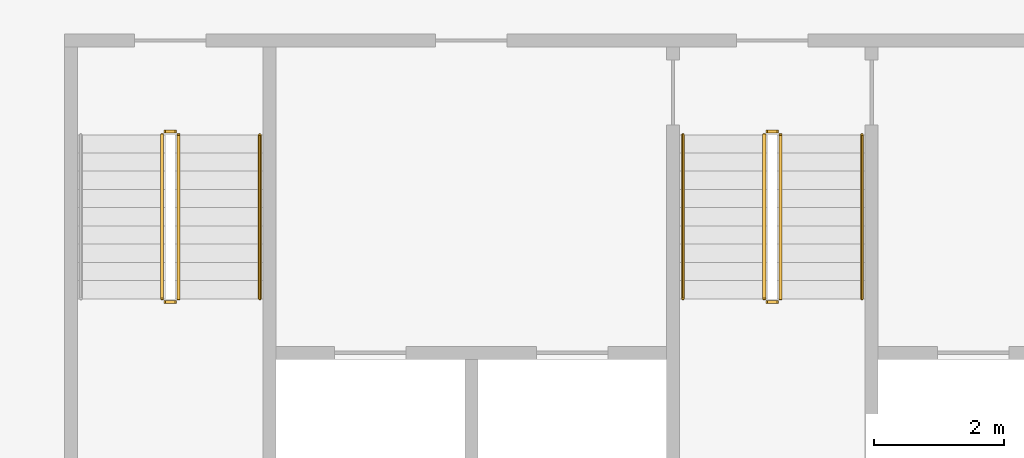
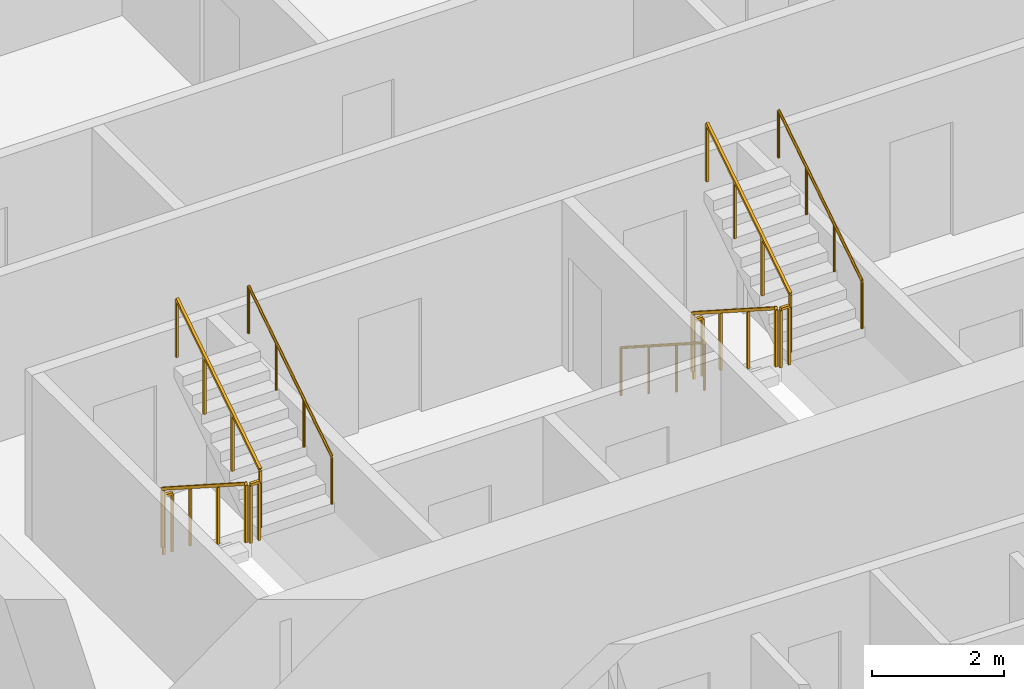
# One storey, part 14 of 16: 11 railings.
"""IFC4 building model written with IfcOpenShell, lengths in metres."""

from ifc_helpers import new_model, si_unit, direction, frame, origin, origin_2d, place, context, subcontext, project, spatial, rectangle, circle, extrude, material, type_object, element, save


model = new_model("IFC4")

# Units and contexts
model_context = context("Model", 3, precision=1e-05, world=origin(), true_north=direction((0.0, 1.0)))
body_context = subcontext(model_context, "Body", "Model", "MODEL_VIEW")
ifc_project = project(units=[si_unit("LENGTHUNIT", "METRE"), si_unit("AREAUNIT", "SQUARE_METRE"), si_unit("VOLUMEUNIT", "CUBIC_METRE"), si_unit("PLANEANGLEUNIT", "RADIAN"), si_unit("MASSUNIT", "GRAM", prefix="KILO")], contexts=[model_context])

# Site, building, storey
site_placement = place(None, origin())
site = spatial("IfcSite", under=ifc_project, at=site_placement, CompositionType="ELEMENT")
building_placement = place(site_placement, origin())
building = spatial("IfcBuilding", under=site, at=building_placement, Name="Mangrove Gate Tower", CompositionType="ELEMENT")
storey_placement = place(building_placement, frame((0.0, 0.0, 197.89990234375)))
storey = spatial("IfcBuildingStorey", under=building, at=storey_placement, Name="L50", CompositionType="ELEMENT", Elevation=197.89990234375)

# Railings
ifc_material_1 = material(Name="Stainless steel 316", Category="steel")
railing_type_1 = type_object("IfcRailingType", Name="Core stair guard 1100", PredefinedType="GUARDRAIL", material=ifc_material_1)
railing_1_placement = place(storey_placement, frame((-9.39990234375, -4.64990234375, 0.18017578125)))
element("IfcRailing", 1, at=railing_1_placement, inside=storey, type_object=railing_type_1, Name="L50 ST1 stair guard 1", PredefinedType="GUARDRAIL", context=body_context, shape_type="SweptSolid", body=[
    extrude(rectangle(XDim=0.048095703125, YDim=0.048095703125, at=origin_2d()), frame((0.0, 0.0, 1.076171875), z_axis=(0.0, -0.841199657755, 0.540724639528), x_axis=(1.0, 0.0, 0.0)), (0.0, 0.0, 1.0), 2.995849609375),
    extrude(rectangle(XDim=0.0419921875, YDim=0.0419921875, at=origin_2d()), origin(), (0.0, 0.0, 1.0), 1.052001953125),
    extrude(rectangle(XDim=0.0419921875, YDim=0.0419921875, at=origin_2d()), frame((0.0, -0.840087890625, 0.5400390625)), (0.0, 0.0, 1.0), 1.052001953125),
    extrude(rectangle(XDim=0.0419921875, YDim=0.0419921875, at=origin_2d()), frame((0.0, -1.679931640625, 1.079833984375)), (0.0, 0.0, 1.0), 1.052001953125),
    extrude(rectangle(XDim=0.0419921875, YDim=0.0419921875, at=origin_2d()), frame((0.0, -2.52001953125, 1.619873046875)), (0.0, 0.0, 1.0), 1.052001953125),
])
railing_2_placement = place(storey_placement, frame((-9.35009765625, -7.219970703125, 1.800048828125)))
element("IfcRailing", 2, at=railing_2_placement, inside=storey, type_object=railing_type_1, Name="L50 ST1 stair guard 2", PredefinedType="GUARDRAIL", context=body_context, shape_type="SweptSolid", body=[
    extrude(rectangle(XDim=0.048095703125, YDim=0.048095703125, at=origin_2d()), frame((0.0, 0.0, 1.076171875), z_axis=(1.0, 0.0, 0.0), x_axis=(0.0, 1.0, 0.0)), (0.0, 0.0, 1.0), 0.150146484375),
    extrude(rectangle(XDim=0.0419921875, YDim=0.0419921875, at=origin_2d()), origin(), (0.0, 0.0, 1.0), 1.052001953125),
    extrude(rectangle(XDim=0.0419921875, YDim=0.0419921875, at=origin_2d()), frame((0.150146484375, 0.0, 0.0)), (0.0, 0.0, 1.0), 1.052001953125),
])
railing_3_placement = place(storey_placement, frame((-9.14990234375, -7.169921875, 1.97998046875)))
element("IfcRailing", 3, at=railing_3_placement, inside=storey, type_object=railing_type_1, Name="L50 ST1 stair guard 3", PredefinedType="GUARDRAIL", context=body_context, shape_type="SweptSolid", body=[
    extrude(rectangle(XDim=0.048095703125, YDim=0.048095703125, at=origin_2d()), frame((0.0, 0.0, 1.076171875), z_axis=(0.0, 0.841162588446, 0.540782303519), x_axis=(-1.0, 0.0, 0.0)), (0.0, 0.0, 1.0), 2.995849609375),
    extrude(rectangle(XDim=0.0419921875, YDim=0.0419921875, at=origin_2d()), origin(), (0.0, 0.0, 1.0), 1.052001953125),
    extrude(rectangle(XDim=0.0419921875, YDim=0.0419921875, at=origin_2d()), frame((0.0, 0.840087890625, 0.5400390625)), (0.0, 0.0, 1.0), 1.052001953125),
    extrude(rectangle(XDim=0.0419921875, YDim=0.0419921875, at=origin_2d()), frame((0.0, 1.679931640625, 1.080078125)), (0.0, 0.0, 1.0), 1.052001953125),
    extrude(rectangle(XDim=0.0419921875, YDim=0.0419921875, at=origin_2d()), frame((0.0, 2.52001953125, 1.6201171875)), (0.0, 0.0, 1.0), 1.052001953125),
])
railing_4_placement = place(storey_placement, frame((-9.35009765625, -4.60009765625, 0.0)))
element("IfcRailing", 4, at=railing_4_placement, inside=storey, type_object=railing_type_1, Name="L50 ST1 stair guard 4", PredefinedType="GUARDRAIL", context=body_context, shape_type="SweptSolid", body=[
    extrude(rectangle(XDim=0.048095703125, YDim=0.048095703125, at=origin_2d()), frame((0.0, 0.0, 1.076171875), z_axis=(1.0, 0.0, 0.0), x_axis=(0.0, 1.0, 0.0)), (0.0, 0.0, 1.0), 0.150146484375),
    extrude(rectangle(XDim=0.0419921875, YDim=0.0419921875, at=origin_2d()), origin(), (0.0, 0.0, 1.0), 1.052001953125),
    extrude(rectangle(XDim=0.0419921875, YDim=0.0419921875, at=origin_2d()), frame((0.150146484375, 0.0, 0.0)), (0.0, 0.0, 1.0), 1.052001953125),
])
railing_5_placement = place(storey_placement, frame((-0.14990234375, -4.64990234375, 0.18017578125)))
element("IfcRailing", 5, at=railing_5_placement, inside=storey, type_object=railing_type_1, Name="L50 ST2 stair guard 1", PredefinedType="GUARDRAIL", context=body_context, shape_type="SweptSolid", body=[
    extrude(rectangle(XDim=0.048095703125, YDim=0.048095703125, at=origin_2d()), frame((0.0, 0.0, 1.076171875), z_axis=(0.0, -0.841199657755, 0.540724639528), x_axis=(1.0, 0.0, 0.0)), (0.0, 0.0, 1.0), 2.995849609375),
    extrude(rectangle(XDim=0.0419921875, YDim=0.0419921875, at=origin_2d()), origin(), (0.0, 0.0, 1.0), 1.052001953125),
    extrude(rectangle(XDim=0.0419921875, YDim=0.0419921875, at=origin_2d()), frame((0.0, -0.840087890625, 0.5400390625)), (0.0, 0.0, 1.0), 1.052001953125),
    extrude(rectangle(XDim=0.0419921875, YDim=0.0419921875, at=origin_2d()), frame((0.0, -1.679931640625, 1.079833984375)), (0.0, 0.0, 1.0), 1.052001953125),
    extrude(rectangle(XDim=0.0419921875, YDim=0.0419921875, at=origin_2d()), frame((0.0, -2.52001953125, 1.619873046875)), (0.0, 0.0, 1.0), 1.052001953125),
])
railing_6_placement = place(storey_placement, frame((-0.10009765625, -7.219970703125, 1.800048828125)))
element("IfcRailing", 6, at=railing_6_placement, inside=storey, type_object=railing_type_1, Name="L50 ST2 stair guard 2", PredefinedType="GUARDRAIL", context=body_context, shape_type="SweptSolid", body=[
    extrude(rectangle(XDim=0.048095703125, YDim=0.048095703125, at=origin_2d()), frame((0.0, 0.0, 1.076171875), z_axis=(1.0, 0.0, 0.0), x_axis=(0.0, 1.0, 0.0)), (0.0, 0.0, 1.0), 0.150146484375),
    extrude(rectangle(XDim=0.0419921875, YDim=0.0419921875, at=origin_2d()), origin(), (0.0, 0.0, 1.0), 1.052001953125),
    extrude(rectangle(XDim=0.0419921875, YDim=0.0419921875, at=origin_2d()), frame((0.150146484375, 0.0, 0.0)), (0.0, 0.0, 1.0), 1.052001953125),
])
railing_7_placement = place(storey_placement, frame((0.10009765625, -7.169921875, 1.97998046875)))
element("IfcRailing", 7, at=railing_7_placement, inside=storey, type_object=railing_type_1, Name="L50 ST2 stair guard 3", PredefinedType="GUARDRAIL", context=body_context, shape_type="SweptSolid", body=[
    extrude(rectangle(XDim=0.048095703125, YDim=0.048095703125, at=origin_2d()), frame((0.0, 0.0, 1.076171875), z_axis=(0.0, 0.841162588446, 0.540782303519), x_axis=(-1.0, 0.0, 0.0)), (0.0, 0.0, 1.0), 2.995849609375),
    extrude(rectangle(XDim=0.0419921875, YDim=0.0419921875, at=origin_2d()), origin(), (0.0, 0.0, 1.0), 1.052001953125),
    extrude(rectangle(XDim=0.0419921875, YDim=0.0419921875, at=origin_2d()), frame((0.0, 0.840087890625, 0.5400390625)), (0.0, 0.0, 1.0), 1.052001953125),
    extrude(rectangle(XDim=0.0419921875, YDim=0.0419921875, at=origin_2d()), frame((0.0, 1.679931640625, 1.080078125)), (0.0, 0.0, 1.0), 1.052001953125),
    extrude(rectangle(XDim=0.0419921875, YDim=0.0419921875, at=origin_2d()), frame((0.0, 2.52001953125, 1.6201171875)), (0.0, 0.0, 1.0), 1.052001953125),
])
railing_8_placement = place(storey_placement, frame((-0.10009765625, -4.60009765625, 0.0)))
element("IfcRailing", 8, at=railing_8_placement, inside=storey, type_object=railing_type_1, Name="L50 ST2 stair guard 4", PredefinedType="GUARDRAIL", context=body_context, shape_type="SweptSolid", body=[
    extrude(rectangle(XDim=0.048095703125, YDim=0.048095703125, at=origin_2d()), frame((0.0, 0.0, 1.076171875), z_axis=(1.0, 0.0, 0.0), x_axis=(0.0, 1.0, 0.0)), (0.0, 0.0, 1.0), 0.150146484375),
    extrude(rectangle(XDim=0.0419921875, YDim=0.0419921875, at=origin_2d()), origin(), (0.0, 0.0, 1.0), 1.052001953125),
    extrude(rectangle(XDim=0.0419921875, YDim=0.0419921875, at=origin_2d()), frame((0.150146484375, 0.0, 0.0)), (0.0, 0.0, 1.0), 1.052001953125),
])
ifc_material_2 = material(Name="Stainless steel 316", Category="steel")
railing_type_2 = type_object("IfcRailingType", Name="Core stair handrail 900", PredefinedType="HANDRAIL", material=ifc_material_2)
railing_9_placement = place(storey_placement, frame((-7.89990234375, -7.169921875, 1.97998046875)))
element("IfcRailing", 9, at=railing_9_placement, inside=storey, type_object=railing_type_2, Name="L50 ST1 stair handrail 2", PredefinedType="HANDRAIL", context=body_context, shape_type="SweptSolid", body=[
    extrude(circle(Radius=0.02392578125, at=origin_2d()), frame((0.0, 0.0, 0.8759765625), z_axis=(0.0, 0.841162588446, 0.540782303519), x_axis=(-1.0, 0.0, 0.0)), (0.0, 0.0, 1.0), 2.995849609375),
    extrude(circle(Radius=0.02099609375, at=origin_2d()), origin(), (0.0, 0.0, 1.0), 0.851806640625),
    extrude(circle(Radius=0.02099609375, at=origin_2d()), frame((0.0, 0.840087890625, 0.5400390625)), (0.0, 0.0, 1.0), 0.851806640625),
    extrude(circle(Radius=0.02099609375, at=origin_2d()), frame((0.0, 1.679931640625, 1.080078125)), (0.0, 0.0, 1.0), 0.851806640625),
    extrude(circle(Radius=0.02099609375, at=origin_2d()), frame((0.0, 2.52001953125, 1.6201171875)), (0.0, 0.0, 1.0), 0.851806640625),
])
railing_10_placement = place(storey_placement, frame((-1.39990234375, -4.64990234375, 0.18017578125)))
element("IfcRailing", 10, at=railing_10_placement, inside=storey, type_object=railing_type_2, Name="L50 ST2 stair handrail 1", PredefinedType="HANDRAIL", context=body_context, shape_type="SweptSolid", body=[
    extrude(circle(Radius=0.02392578125, at=origin_2d()), frame((0.0, 0.0, 0.8759765625), z_axis=(0.0, -0.841199657755, 0.540724639528), x_axis=(1.0, 0.0, 0.0)), (0.0, 0.0, 1.0), 2.995849609375),
    extrude(circle(Radius=0.02099609375, at=origin_2d()), origin(), (0.0, 0.0, 1.0), 0.851806640625),
    extrude(circle(Radius=0.02099609375, at=origin_2d()), frame((0.0, -0.840087890625, 0.5400390625)), (0.0, 0.0, 1.0), 0.851806640625),
    extrude(circle(Radius=0.02099609375, at=origin_2d()), frame((0.0, -1.679931640625, 1.079833984375)), (0.0, 0.0, 1.0), 0.851806640625),
    extrude(circle(Radius=0.02099609375, at=origin_2d()), frame((0.0, -2.52001953125, 1.619873046875)), (0.0, 0.0, 1.0), 0.851806640625),
])
railing_11_placement = place(storey_placement, frame((1.35009765625, -7.169921875, 1.97998046875)))
element("IfcRailing", 11, at=railing_11_placement, inside=storey, type_object=railing_type_2, Name="L50 ST2 stair handrail 2", PredefinedType="HANDRAIL", context=body_context, shape_type="SweptSolid", body=[
    extrude(circle(Radius=0.02392578125, at=origin_2d()), frame((0.0, 0.0, 0.8759765625), z_axis=(0.0, 0.841162588446, 0.540782303519), x_axis=(-1.0, 0.0, 0.0)), (0.0, 0.0, 1.0), 2.995849609375),
    extrude(circle(Radius=0.02099609375, at=origin_2d()), origin(), (0.0, 0.0, 1.0), 0.851806640625),
    extrude(circle(Radius=0.02099609375, at=origin_2d()), frame((0.0, 0.840087890625, 0.5400390625)), (0.0, 0.0, 1.0), 0.851806640625),
    extrude(circle(Radius=0.02099609375, at=origin_2d()), frame((0.0, 1.679931640625, 1.080078125)), (0.0, 0.0, 1.0), 0.851806640625),
    extrude(circle(Radius=0.02099609375, at=origin_2d()), frame((0.0, 2.52001953125, 1.6201171875)), (0.0, 0.0, 1.0), 0.851806640625),
])

save(model, "model.ifc")
